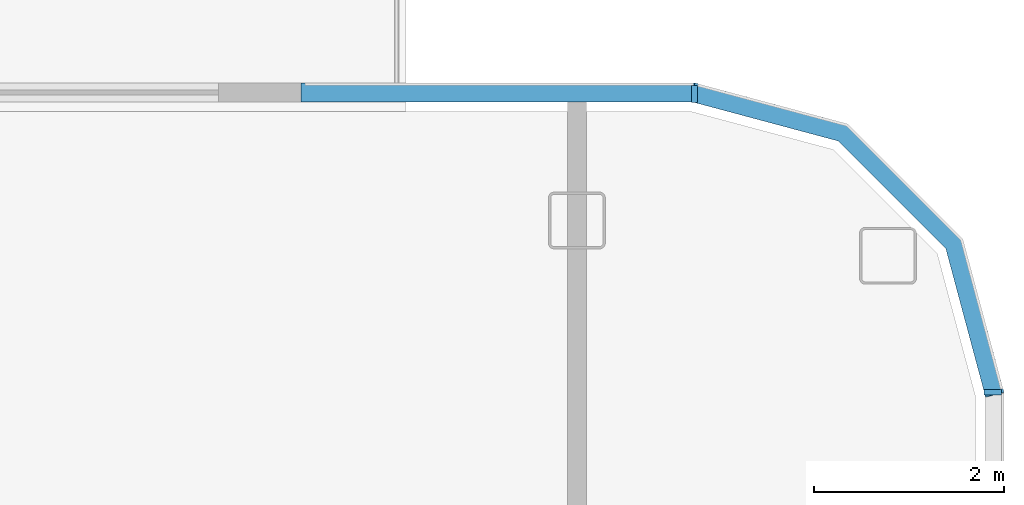
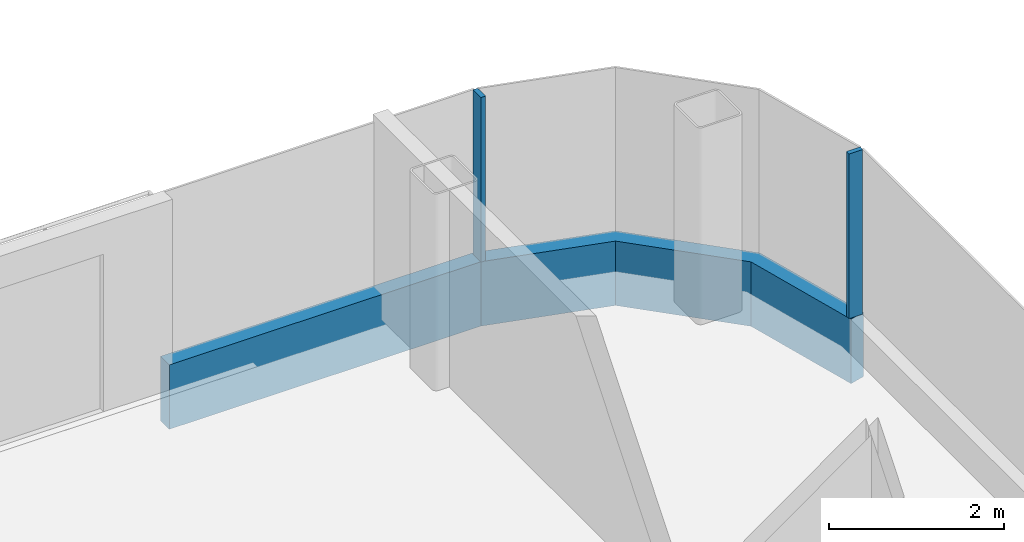
# One storey, part 9 of 28: 4 members, 3 elements without a shape of their own.
"""IFC4 building model written with IfcOpenShell, lengths in metres."""

import ifcopenshell
import ifcopenshell.guid

model = None  # the IFC model being written
_history = None  # IfcOwnerHistory: only IFC2X3 demands one
_inside = {}  # id of a spatial element -> (the spatial element, [elements in it])
_under = {}  # id of a project, library or spatial element -> (it, [spatial elements below it])
_declared = {}  # id of a project -> (the project, [libraries it declares])
_typed = {}  # id of a type object -> (the type object, [elements of that type])
_made_of = {}  # id of a material, layer set ... -> (it, [elements and type objects made of it])


def new_model(schema):
    """Start an empty IFC model of exactly this schema.

    Asked for "IFC4X3", IfcOpenShell would pick the latest addendum, in which some entities
    have other attributes; the version numbers below select the first issue.
    IFC2X3 requires an IfcOwnerHistory on every rooted entity: one is made here for all.
    """
    global model, _history
    if schema == "IFC4X3":
        model = ifcopenshell.file(schema_version=(4, 3, 0, 0))
    else:
        model = ifcopenshell.file(schema=schema)
    _inside.clear()
    _under.clear()
    _declared.clear()
    _typed.clear()
    _made_of.clear()
    _history = None
    if model.schema == "IFC2X3":
        org = make("IfcOrganization", Name="unknown")
        user = make(
            "IfcPersonAndOrganization",
            ThePerson=make("IfcPerson", FamilyName="unknown"),
            TheOrganization=org,
        )
        app = make(
            "IfcApplication",
            ApplicationDeveloper=org,
            Version="unknown",
            ApplicationFullName="unknown",
            ApplicationIdentifier="unknown",
        )
        _history = make(
            "IfcOwnerHistory",
            OwningUser=user,
            OwningApplication=app,
            ChangeAction="ADDED",
            CreationDate=0,
        )
    return model


def make(cls, **values):
    """One entity of the class cls with the attributes given. An attribute that is None is left unset."""
    return model.create_entity(
        cls, **{name: value for name, value in values.items() if value is not None}
    )


def rooted(cls, **values):
    """An entity with a GlobalId (a new one), such as an element, a storey or a relation."""
    return make(cls, GlobalId=ifcopenshell.guid.new(), OwnerHistory=_history, **values)


def si_unit(unit_type, name, prefix=None):
    """IfcSIUnit, for example si_unit("LENGTHUNIT", "METRE", prefix="MILLI")."""
    return make("IfcSIUnit", UnitType=unit_type, Prefix=prefix, Name=name)


def assignment(units):
    """IfcUnitAssignment: the units of a project."""
    return None if units is None else make("IfcUnitAssignment", Units=units)


def point(xyz):
    """IfcCartesianPoint."""
    return None if xyz is None else make("IfcCartesianPoint", Coordinates=xyz)


def direction(xyz):
    """IfcDirection."""
    return None if xyz is None else make("IfcDirection", DirectionRatios=xyz)


def frame(location, z_axis=None, x_axis=None):
    """IfcAxis2Placement3D, a coordinate frame: its origin and axes. An axis left out is left unset."""
    return make(
        "IfcAxis2Placement3D",
        Location=point(location),
        Axis=direction(z_axis),
        RefDirection=direction(x_axis),
    )


def frame_2d(location, x_axis=None):
    """IfcAxis2Placement2D, a coordinate frame in the plane: its origin and x axis."""
    return make(
        "IfcAxis2Placement2D", Location=point(location), RefDirection=direction(x_axis)
    )


def origin():
    """The frame at (0, 0, 0) with its axes left unset."""
    return frame((0.0, 0.0, 0.0))


def origin_2d():
    """The frame at (0, 0) in the plane with its x axis left unset."""
    return frame_2d((0.0, 0.0))


def place(relative_to, where):
    """IfcLocalPlacement: puts the frame where relative to a parent placement (None: the world)."""
    return make(
        "IfcLocalPlacement", PlacementRelTo=relative_to, RelativePlacement=where
    )


def context(
    kind, dimensions, precision=None, world=None, true_north=None, identifier=None
):
    """IfcGeometricRepresentationContext, for example the 3D "Model" context."""
    return make(
        "IfcGeometricRepresentationContext",
        ContextIdentifier=identifier,
        ContextType=kind,
        CoordinateSpaceDimension=dimensions,
        Precision=precision,
        WorldCoordinateSystem=world,
        TrueNorth=true_north,
    )


def subcontext(parent, identifier, kind, view, scale=None):
    """IfcGeometricRepresentationSubContext, for example "Body" below "Model"."""
    return make(
        "IfcGeometricRepresentationSubContext",
        ContextIdentifier=identifier,
        ContextType=kind,
        ParentContext=parent,
        TargetScale=scale,
        TargetView=view,
    )


def project(units=None, contexts=None):
    """IfcProject with its units and contexts."""
    return rooted(
        "IfcProject",
        Name="project",
        RepresentationContexts=contexts,
        UnitsInContext=assignment(units),
    )


def spatial(cls, under=None, at=None, **own):
    """A site, building, storey or space (cls), placed at a placement, below another one or the project."""
    s = rooted(cls, ObjectPlacement=at, **own)
    if under is not None:
        _under.setdefault(under.id(), (under, []))[1].append(s)
    return s


def polyline(points):
    """IfcPolyline through the points."""
    return make("IfcPolyline", Points=[point(p) for p in points])


def profile(cls, at=None, kind="AREA", **sizes):
    """A parametric profile (cls). Its sizes go by their IFC names, for example OverallWidth=200.0."""
    return make(cls, ProfileType=kind, Position=at, **sizes)


def rectangle(**sizes):
    """IfcRectangleProfileDef."""
    return profile("IfcRectangleProfileDef", **sizes)


def outline(outer, holes=None, kind="AREA"):
    """IfcArbitraryClosedProfileDef: a profile drawn as a closed curve; with holes, ...WithVoids."""
    if holes is None:
        return make("IfcArbitraryClosedProfileDef", ProfileType=kind, OuterCurve=outer)
    return make(
        "IfcArbitraryProfileDefWithVoids",
        ProfileType=kind,
        OuterCurve=outer,
        InnerCurves=holes,
    )


def extrude(swept, where, along, depth):
    """IfcExtrudedAreaSolid: the profile swept, set in the frame where, extruded along a direction by depth."""
    return make(
        "IfcExtrudedAreaSolid",
        SweptArea=swept,
        Position=where,
        ExtrudedDirection=direction(along),
        Depth=depth,
    )


def shape(context_of_items, identifier, shape_type, items):
    """IfcShapeRepresentation: the items that make up one representation, for example the "Body"."""
    return make(
        "IfcShapeRepresentation",
        ContextOfItems=context_of_items,
        RepresentationIdentifier=identifier,
        RepresentationType=shape_type,
        Items=items,
    )


def material(Name=None, Category=None):
    """IfcMaterial."""
    return make("IfcMaterial", Name=Name, Category=Category)


def layer(
    of_material, thickness, ventilated=None, Name=None, Category=None, Priority=None
):
    """IfcMaterialLayer: one layer of a wall or slab, of a material (None: an air gap)."""
    return make(
        "IfcMaterialLayer",
        Material=of_material,
        LayerThickness=thickness,
        IsVentilated=ventilated,
        Name=Name,
        Category=Category,
        Priority=Priority,
    )


def layer_set(layers, Name=None):
    """IfcMaterialLayerSet."""
    return make("IfcMaterialLayerSet", MaterialLayers=layers, LayerSetName=Name)


def material_profile(
    of_material, cross_section, Name=None, Category=None, Priority=None
):
    """IfcMaterialProfile: a cross section and its material."""
    return make(
        "IfcMaterialProfile",
        Name=Name,
        Material=of_material,
        Profile=cross_section,
        Priority=Priority,
        Category=Category,
    )


def profile_set(profiles, Name=None, composite=None):
    """IfcMaterialProfileSet."""
    return make(
        "IfcMaterialProfileSet",
        Name=Name,
        MaterialProfiles=profiles,
        CompositeProfile=composite,
    )


def made_of(thing, what):
    """Note that an element or type object is made of a material, layer set ...; save() writes the relation."""
    if what is not None:
        _made_of.setdefault(what.id(), (what, []))[1].append(thing)
    return thing


def type_object(cls, material=None, **own):
    """A type object (cls), such as IfcWallType, which elements share."""
    return made_of(rooted(cls, **own), material)


def element(
    cls,
    number,
    at=None,
    inside=None,
    cuts=None,
    type_object=None,
    material=None,
    context=None,
    identifier="Body",
    shape_type=None,
    held_by="IfcProductDefinitionShape",
    body=None,
    shapes=None,
    **own,
):
    """One element of the class cls, such as IfcWall. Its Tag is "e" and its number.

    at: its placement. inside: the storey or other place that contains it. cuts: it is an
    opening in that element (IfcRelVoidsElement). A single representation is given by context,
    identifier, shape_type and body (its items); several are given by shapes. held_by: the class
    of the entity that holds the representations. save() writes the other relations.
    """
    e = rooted(cls, Tag="e%d" % number, ObjectPlacement=at, **own)
    if body is not None:
        shapes = [shape(context, identifier, shape_type, body)]
    if shapes is not None:
        e.Representation = make(held_by, Representations=shapes)
    if inside is not None:
        _inside.setdefault(inside.id(), (inside, []))[1].append(e)
    if cuts is not None:
        rooted(
            "IfcRelVoidsElement", RelatingBuildingElement=cuts, RelatedOpeningElement=e
        )
    if type_object is not None:
        _typed.setdefault(type_object.id(), (type_object, []))[1].append(e)
    return made_of(e, material)


def aggregate(whole, parts):
    """IfcRelAggregates: a whole, such as a stair, and the parts it consists of."""
    return rooted("IfcRelAggregates", RelatingObject=whole, RelatedObjects=parts)


def save(model, path):
    """Write the relations noted so far, then the file.

    IfcRelAggregates (storeys below a building ...), IfcRelContainedInSpatialStructure (elements
    in a storey), IfcRelDefinesByType, IfcRelAssociatesMaterial and IfcRelDeclares: one each for
    every whole, place, type object, material and project.
    """
    for whole, parts in _under.values():
        aggregate(whole, parts)
    for where, things in _inside.values():
        rooted(
            "IfcRelContainedInSpatialStructure",
            RelatedElements=things,
            RelatingStructure=where,
        )
    for kind, things in _typed.values():
        rooted("IfcRelDefinesByType", RelatedObjects=things, RelatingType=kind)
    for what, things in _made_of.values():
        rooted("IfcRelAssociatesMaterial", RelatedObjects=things, RelatingMaterial=what)
    for by, libraries in _declared.values():
        rooted("IfcRelDeclares", RelatingContext=by, RelatedDefinitions=libraries)
    model.write(path)


model = new_model("IFC4")

# Units and contexts
model_context = context("Model", 3, precision=1e-05, world=origin(), true_north=direction((0.0, 1.0)))
body_context = subcontext(model_context, "Body", "Model", "MODEL_VIEW")
ifc_project = project(units=[si_unit("LENGTHUNIT", "METRE"), si_unit("AREAUNIT", "SQUARE_METRE"), si_unit("VOLUMEUNIT", "CUBIC_METRE"), si_unit("PLANEANGLEUNIT", "RADIAN"), si_unit("MASSUNIT", "GRAM", prefix="KILO")], contexts=[model_context])

# Site, building, storey
site_placement = place(None, origin())
site = spatial("IfcSite", under=ifc_project, at=site_placement, CompositionType="ELEMENT")
building_placement = place(site_placement, origin())
building = spatial("IfcBuilding", under=site, at=building_placement, Name="Hakoniwa Tower and Hamabe Station Hall", CompositionType="ELEMENT")
storey_placement = place(building_placement, frame((0.0, 0.0, 218.60009765625)))
storey = spatial("IfcBuildingStorey", under=building, at=storey_placement, Name="L62", CompositionType="ELEMENT", Elevation=218.60009765625)

# Curtain wall, member
ifc_material_1 = material(Name="Dark low-e laminated glass", Category="glass")
ifc_layer = layer(ifc_material_1, 0.199951171875)
ifc_layer_set = layer_set([ifc_layer], Name="CW-1 UNITISED GUEST")
curtain_wall_type = type_object("IfcCurtainWallType", Name="CW-1 UNITISED GUEST", PredefinedType="NOTDEFINED", material=ifc_layer_set)
curtain_wall_1_placement = place(storey_placement, origin())
curtain_wall_1 = element("IfcCurtainWall", 1, at=curtain_wall_1_placement, inside=storey, type_object=curtain_wall_type, Name="CW-1 curtain wall", PredefinedType="NOTDEFINED")
ifc_material_2 = material(Name="Aluminium 6063-T5 black anodised", Category="aluminium")
ifc_material_profile_1 = material_profile(ifc_material_2, rectangle(XDim=0.199951171875, YDim=0.89990234375, at=origin_2d()), Name="CW SLAB-EDGE BAND 900X200")
ifc_profile_set_1 = profile_set([ifc_material_profile_1], Name="Aluminium 6063-T5 black anodised")
member_type_1 = type_object("IfcMemberType", Name="CW SLAB-EDGE BAND 900X200", PredefinedType="USERDEFINED", material=ifc_profile_set_1)
member_1_placement = place(storey_placement, frame((0.0, 0.0, -0.550048828125)))
member_1 = element("IfcMember", 2, at=member_1_placement, type_object=member_type_1, Name="CW-1 transom", ObjectType="TRANSOM", PredefinedType="USERDEFINED", context=body_context, shape_type="SweptSolid", body=[
    extrude(outline(polyline([(38.10009765625, 17.28955078125), (37.6669921875, 18.9052734375), (36.455322265625, 20.116943359375), (34.839599609375, 20.550048828125), (34.787841796875, 20.35693359375), (36.351806640625, 19.937744140625), (37.48779296875, 18.8017578125), (37.90673828125, 17.23779296875), (38.10009765625, 17.28955078125)])), origin(), (0.0, 0.0, 1.0), 0.89990234375),
])
aggregate(curtain_wall_1, [member_1])

curtain_wall_2_placement = place(storey_placement, origin())
curtain_wall_2 = element("IfcCurtainWall", 3, at=curtain_wall_2_placement, inside=storey, type_object=curtain_wall_type, Name="CW-1 curtain wall", PredefinedType="NOTDEFINED")
member_2_placement = place(storey_placement, frame((34.839599609375, 20.449951171875, -0.10009765625), z_axis=(-1.0, 0.0, 0.0), x_axis=(0.0, -1.0, 0.0)))
member_2 = element("IfcMember", 4, at=member_2_placement, type_object=member_type_1, Name="CW-1 transom", ObjectType="TRANSOM", PredefinedType="USERDEFINED", context=body_context, shape_type="SweptSolid", body=[
    extrude(rectangle(XDim=0.199951171875, YDim=0.89990234375, at=origin_2d()), origin(), (0.0, 0.0, 1.0), 4.14453125),
])

curtain_wall_3_placement = place(storey_placement, origin())
curtain_wall_3 = element("IfcCurtainWall", 5, at=curtain_wall_3_placement, inside=storey, type_object=curtain_wall_type, Name="CW-1 curtain wall", PredefinedType="NOTDEFINED")
ifc_material_3 = material(Name="Aluminium 6063-T5 black anodised", Category="aluminium")
ifc_material_profile_2 = material_profile(ifc_material_3, rectangle(XDim=0.06005859375, YDim=0.179931640625, at=origin_2d()), Name="CW-1 MULLION 60X180")
ifc_profile_set_2 = profile_set([ifc_material_profile_2], Name="Aluminium 6063-T5 black anodised")
member_type_2 = type_object("IfcMemberType", Name="CW-1 MULLION 60X180", PredefinedType="MULLION", material=ifc_profile_set_2)
member_3_placement = place(storey_placement, frame((37.98193359375, 17.28955078125, 0.349853515625), z_axis=(0.0, 0.0, 1.0), x_axis=(0.0, 1.0, 0.0)))
member_3 = element("IfcMember", 6, at=member_3_placement, type_object=member_type_2, Name="CW-1 mullion", PredefinedType="MULLION", context=body_context, shape_type="SweptSolid", body=[
    extrude(rectangle(XDim=0.06005859375, YDim=0.179931640625, at=origin_2d()), origin(), (0.0, 0.0, 1.0), 2.300048828125),
])
aggregate(curtain_wall_3, [member_3])

# Member
member_4_placement = place(storey_placement, frame((34.839599609375, 20.431884765625, 0.349853515625), z_axis=(0.0, 0.0, 1.0), x_axis=(-1.0, 0.0, 0.0)))
member_4 = element("IfcMember", 7, at=member_4_placement, type_object=member_type_2, Name="CW-1 mullion", PredefinedType="MULLION", context=body_context, shape_type="SweptSolid", body=[
    extrude(rectangle(XDim=0.06005859375, YDim=0.179931640625, at=origin_2d()), origin(), (0.0, 0.0, 1.0), 2.300048828125),
])

aggregate(curtain_wall_2, [member_4, member_2])

save(model, "model.ifc")
